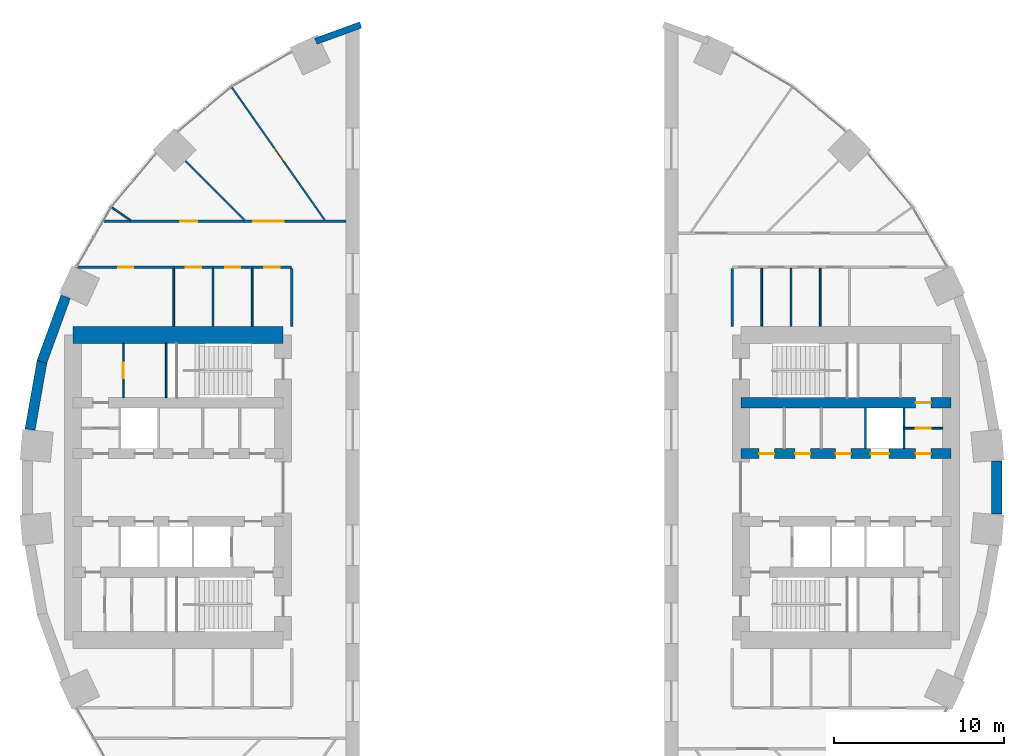
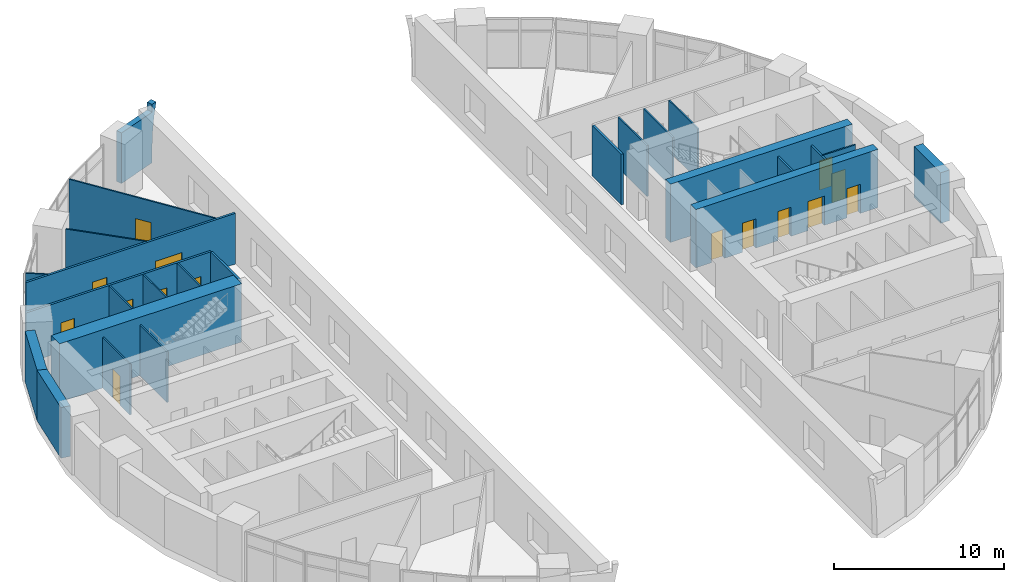
# One storey, part 11 of 13: 25 walls, 15 doors, 15 openings.
"""IFC4 building model written with IfcOpenShell, lengths in metres."""

from ifc_helpers import new_model, si_unit, direction, frame, frame_2d, origin, place, context, subcontext, project, spatial, polyline, rectangle, outline, extrude, material, layer, layer_set, type_object, element, fill, save


model = new_model("IFC4")

# Units and contexts
model_context = context("Model", 3, precision=1e-05, world=origin(), true_north=direction((0.0, 1.0)))
body_context = subcontext(model_context, "Body", "Model", "MODEL_VIEW")
ifc_project = project(units=[si_unit("LENGTHUNIT", "METRE"), si_unit("AREAUNIT", "SQUARE_METRE"), si_unit("VOLUMEUNIT", "CUBIC_METRE"), si_unit("PLANEANGLEUNIT", "RADIAN"), si_unit("MASSUNIT", "GRAM", prefix="KILO")], contexts=[model_context])

# Site, building, storey
site_placement = place(None, origin())
site = spatial("IfcSite", under=ifc_project, at=site_placement, CompositionType="ELEMENT")
building_placement = place(site_placement, origin())
building = spatial("IfcBuilding", under=site, at=building_placement, Name="Saqina Gate Tower", CompositionType="ELEMENT")
storey_placement = place(building_placement, frame((0.0, 0.0, 5.0)))
storey = spatial("IfcBuildingStorey", under=building, at=storey_placement, Name="L01", CompositionType="ELEMENT", Elevation=5.0)

# Wall, opening, door
ifc_material_1 = material(Name="Gypsum board on steel studs", Category="steel")
ifc_layer_1 = layer(ifc_material_1, 0.10009765625)
ifc_layer_set_1 = layer_set([ifc_layer_1], Name="CORE PARTITION")
wall_type_1 = type_object("IfcWallType", Name="CORE PARTITION", PredefinedType="PARTITIONING", material=ifc_layer_set_1)
wall_1_placement = place(storey_placement, frame((23.1201171875, 3.5, 0.0), z_axis=(0.0, 0.0, 1.0), x_axis=(1.0, 0.0, 0.0)))
wall_1 = element("IfcWall", 1, at=wall_1_placement, inside=storey, type_object=wall_type_1, Name="L01-CP-E09", PredefinedType="PARTITIONING", context=body_context, shape_type="SweptSolid", body=[
    extrude(rectangle(XDim=2.27978515625, YDim=0.10009765625, at=frame_2d((1.139892578125, 0.0))), origin(), (0.0, 0.0, 1.0), 3.64990234375),
])
opening_1_placement = place(wall_1_placement, frame((0.68994140625, 0.0, 0.0)))
opening_1 = element("IfcOpeningElement", 2, at=opening_1_placement, cuts=wall_1, Name="Opening L01-D96", PredefinedType="OPENING", context=body_context, shape_type="SweptSolid", body=[
    extrude(rectangle(XDim=0.89990234375, YDim=2.10009765625, at=frame_2d((0.449951171875, 1.050048828125))), frame((0.0, 0.06201171875, 0.0), z_axis=(0.0, -1.0, 0.0), x_axis=(1.0, 0.0, 0.0)), (0.0, 0.0, 1.0), 0.1240234375),
])
ifc_material_2 = material(Name="Steel-framed fire door leaf, EI 60", Category="steel")
door_type_1 = type_object("IfcDoorType", Name="SERVICE ROOM DOOR 900", OperationType="SINGLE_SWING_LEFT", PredefinedType="DOOR", material=ifc_material_2)
door_1_placement = place(opening_1_placement, origin())
door_1 = element("IfcDoor", 3, at=door_1_placement, inside=storey, type_object=door_type_1, Name="L01-CD-E07", OperationType="SINGLE_SWING_RIGHT", OverallHeight=2.10009765625, OverallWidth=0.89990234375, PredefinedType="DOOR", context=body_context, shape_type="SweptSolid", body=[
    extrude(rectangle(XDim=0.89990234375, YDim=2.10009765625, at=frame_2d((0.449951171875, 1.050048828125))), frame((0.0, 0.02490234375, 0.0), z_axis=(0.0, -1.0, 0.0), x_axis=(1.0, 0.0, 0.0)), (0.0, 0.0, 1.0), 0.050048828125),
])
fill(opening_1, door_1)

wall_2_placement = place(storey_placement, frame((-22.919921875, 5.300048828125, 0.0), z_axis=(0.0, 0.0, 1.0), x_axis=(0.0, 1.0, 0.0)))
wall_2 = element("IfcWall", 4, at=wall_2_placement, inside=storey, type_object=wall_type_1, Name="L01-CP-W11", PredefinedType="PARTITIONING", context=body_context, shape_type="SweptSolid", body=[
    extrude(rectangle(XDim=3.199951171875, YDim=0.10009765625, at=frame_2d((1.60009765625, 0.0))), origin(), (0.0, 0.0, 1.0), 3.64990234375),
])
opening_2_placement = place(wall_2_placement, frame((1.14990234375, 0.0, 0.0)))
opening_2 = element("IfcOpeningElement", 5, at=opening_2_placement, cuts=wall_2, Name="Opening L01-D113", PredefinedType="OPENING", context=body_context, shape_type="SweptSolid", body=[
    extrude(rectangle(XDim=0.89990234375, YDim=2.10009765625, at=frame_2d((0.449951171875, 1.050048828125))), frame((0.0, 0.06201171875, 0.0), z_axis=(0.0, -1.0, 0.0), x_axis=(1.0, 0.0, 0.0)), (0.0, 0.0, 1.0), 0.1240234375),
])
door_2_placement = place(opening_2_placement, frame((0.89990234375, 0.0, 0.0), z_axis=(0.0, 0.0, 1.0), x_axis=(-1.0, 0.0, 0.0)))
door_2 = element("IfcDoor", 6, at=door_2_placement, inside=storey, type_object=door_type_1, Name="L01-CD-W24", OperationType="SINGLE_SWING_RIGHT", OverallHeight=2.10009765625, OverallWidth=0.89990234375, PredefinedType="DOOR", context=body_context, shape_type="SweptSolid", body=[
    extrude(rectangle(XDim=0.89990234375, YDim=2.10009765625, at=frame_2d((0.449951171875, 1.050048828125))), frame((0.0, 0.02490234375, 0.0), z_axis=(0.0, -1.0, 0.0), x_axis=(1.0, 0.0, 0.0)), (0.0, 0.0, 1.0), 0.050048828125),
])
fill(opening_2, door_2)

# Walls
ifc_material_3 = material(Name="Glazed ceramic tile", Category="ceramic")
ifc_layer_2 = layer(ifc_material_3, 0.3798828125)
ifc_layer_set_2 = layer_set([ifc_layer_2], Name="FW-ARCH")
wall_type_2 = type_object("IfcWallType", Name="FW-ARCH", PredefinedType="SOLIDWALL", material=ifc_layer_set_2)
wall_3_placement = place(storey_placement, frame((-11.63720703125, 26.49755859375, 0.0), z_axis=(-0.341981019293, 0.939704755181, 0.001988852104), x_axis=(0.939706613726, 0.341981695593, 3.2622e-08)))
element("IfcWall", 7, at=wall_3_placement, inside=storey, type_object=wall_type_2, Name="Arch frame wall L01 facet 11", PredefinedType="SOLIDWALL", context=body_context, shape_type="SweptSolid", body=[
    extrude(outline(polyline([(0.0, 0.0), (2.8100358124776417, 0.0), (2.810139665404947, -1.0000017143707367), (2.851939254311865, -2.0981484908125445), (2.976838450721379, -3.1906802491788175), (3.1707162720531046, -4.199959504944626), (2.8101172642099947, -4.199959459046005), (2.8099923716461217, -3.649909561554975), (-4.344083151981224e-05, -3.649909561554975), (0.0, 0.0)])), origin(), (0.0, 0.0, -1.0), 0.3798828125),
])
ifc_material_4 = material(Name="Glazed ceramic tile", Category="ceramic")
ifc_layer_3 = layer(ifc_material_4, 0.60009765625)
ifc_layer_set_3 = layer_set([ifc_layer_3], Name="FW-TILE")
wall_type_3 = type_object("IfcWallType", Name="FW-TILE", PredefinedType="SOLIDWALL", material=ifc_layer_set_3)
wall_4_placement = place(storey_placement, frame((-26.327880859375, 11.255126953125, 0.0), z_axis=(0.0, 0.0, 1.0), x_axis=(-0.342034744565, -0.939687306241, 0.0)))
element("IfcWall", 8, at=wall_4_placement, inside=storey, type_object=wall_type_3, Name="Facade wall L01 facet 16", PredefinedType="SOLIDWALL", context=body_context, shape_type="SweptSolid", body=[
    extrude(rectangle(XDim=4.099365234375, YDim=0.60009765625, at=frame_2d((2.0498046875, 0.0))), origin(), (0.0, 0.0, 1.0), 3.64990234375),
])
wall_5_placement = place(storey_placement, frame((28.589599609375, -1.571533203125, 0.0), z_axis=(0.0, 0.0, 1.0), x_axis=(0.0, 1.0, 0.0)))
element("IfcWall", 9, at=wall_5_placement, inside=storey, type_object=wall_type_3, Name="Facade wall L01 facet 36", PredefinedType="SOLIDWALL", context=body_context, shape_type="SweptSolid", body=[
    extrude(rectangle(XDim=3.14306640625, YDim=0.60009765625, at=frame_2d((1.571533203125, 0.0))), origin(), (0.0, 0.0, 1.0), 3.64990234375),
])
ifc_material_5 = material(Name="Glazed ceramic tile (dark blue)", Category="ceramic")
ifc_layer_4 = layer(ifc_material_5, 0.60009765625)
ifc_layer_set_4 = layer_set([ifc_layer_4], Name="FW-TILE-CB")
wall_type_4 = type_object("IfcWallType", Name="FW-TILE-CB", PredefinedType="SOLIDWALL", material=ifc_layer_set_4)
wall_6_placement = place(storey_placement, frame((-27.71630859375, 7.45361328125, 0.0), z_axis=(0.0, 0.0, 1.0), x_axis=(-0.173673210505, -0.984803338719, 0.0)))
element("IfcWall", 10, at=wall_6_placement, inside=storey, type_object=wall_type_4, Name="Facade wall L01 facet 17", PredefinedType="SOLIDWALL", context=body_context, shape_type="SweptSolid", body=[
    extrude(rectangle(XDim=4.09912109375, YDim=0.60009765625, at=frame_2d((2.049560546875, 0.0))), origin(), (0.0, 0.0, 1.0), 3.64990234375),
])
ifc_material_6 = material(Name="Autoclaved aerated concrete block", Category="concrete")
ifc_layer_5 = layer(ifc_material_6, 0.1201171875)
ifc_layer_set_5 = layer_set([ifc_layer_5], Name="SHAFT PARTITION")
wall_type_5 = type_object("IfcWallType", Name="SHAFT PARTITION", PredefinedType="PARTITIONING", material=ifc_layer_set_5)
for number, where, z_axis, x_axis, name in (
    (11, (20.840087890625, 2.300048828125, 0.0), (0.0, 0.0, 1.0), (0.0, 1.0, 0.0), "L01-CP-E03"),
    (12, (23.1201171875, 2.300048828125, 0.0), (0.0, 0.0, 1.0), (0.0, 1.0, 0.0), "L01-CP-E04"),
):
    element("IfcWall", number, at=place(storey_placement, frame(where, z_axis=z_axis, x_axis=x_axis)), inside=storey, type_object=wall_type_5, Name=name, PredefinedType="PARTITIONING", context=body_context, shape_type="SweptSolid", body=[
        extrude(rectangle(XDim=2.39990234375, YDim=0.1201171875, at=frame_2d((1.199951171875, 0.0))), origin(), (0.0, 0.0, 1.0), 3.64990234375),
    ])

# Wall, opening, door
ifc_material_7 = material(Name="Gypsum board on steel studs, 100 mm", Category="steel")
ifc_layer_6 = layer(ifc_material_7, 0.10009765625)
ifc_layer_set_6 = layer_set([ifc_layer_6], Name="SPECIAL PARTITION 100")
wall_type_6 = type_object("IfcWallType", Name="SPECIAL PARTITION 100", PredefinedType="PARTITIONING", material=ifc_layer_set_6)
wall_7_placement = place(storey_placement, frame((-16.51904296875, 23.591064453125, 0.0), z_axis=(0.0, 0.0, 1.0), x_axis=(0.573616613219, -0.819123910675, 0.0)))
wall_7 = element("IfcWall", 13, at=wall_7_placement, inside=storey, type_object=wall_type_6, Name="PARTITION 001", PredefinedType="PARTITIONING", context=body_context, shape_type="SweptSolid", body=[
    extrude(rectangle(XDim=9.55859375, YDim=0.10009765625, at=frame_2d((4.779296875, 0.0))), origin(), (0.0, 0.0, 1.0), 3.64990234375),
])
opening_3_placement = place(wall_7_placement, frame((4.31689453125, 0.0, 0.0)))
opening_3 = element("IfcOpeningElement", 14, at=opening_3_placement, cuts=wall_7, Name="Opening L01-D09", PredefinedType="OPENING", context=body_context, shape_type="SweptSolid", body=[
    extrude(rectangle(XDim=1.0, YDim=2.10009765625, at=frame_2d((0.5, 1.050048828125))), frame((0.0, 0.06201171875, 0.0), z_axis=(0.0, -1.0, 0.0), x_axis=(1.0, 0.0, 0.0)), (0.0, 0.0, 1.0), 0.1240234375),
])
ifc_material_8 = material(Name="Timber door leaf", Category="wood")
door_type_2 = type_object("IfcDoorType", Name="SPECIAL DOOR 1000 TIMBER", OperationType="SINGLE_SWING_LEFT", PredefinedType="DOOR", material=ifc_material_8)
door_3_placement = place(opening_3_placement, origin())
door_3 = element("IfcDoor", 15, at=door_3_placement, inside=storey, type_object=door_type_2, Name="DOOR L01-D09", OperationType="SINGLE_SWING_RIGHT", OverallHeight=2.10009765625, OverallWidth=1.0, PredefinedType="DOOR", context=body_context, shape_type="SweptSolid", body=[
    extrude(rectangle(XDim=1.0, YDim=2.10009765625, at=frame_2d((0.5, 1.050048828125))), frame((0.0, 0.02490234375, 0.0), z_axis=(0.0, -1.0, 0.0), x_axis=(1.0, 0.0, 0.0)), (0.0, 0.0, 1.0), 0.050048828125),
])
fill(opening_3, door_3)

# Walls
wall_8_placement = place(storey_placement, frame((-19.26171875, 19.26171875, 0.0), z_axis=(0.0, 0.0, 1.0), x_axis=(0.707180580359, -0.707032974311, 0.0)))
element("IfcWall", 16, at=wall_8_placement, inside=storey, type_object=wall_type_6, Name="PARTITION 003", PredefinedType="PARTITIONING", context=body_context, shape_type="SweptSolid", body=[
    extrude(rectangle(XDim=4.9619140625, YDim=0.10009765625, at=frame_2d((2.48095703125, 0.0))), origin(), (0.0, 0.0, 1.0), 3.64990234375),
])
wall_9_placement = place(storey_placement, frame((-23.591064453125, 16.51904296875, 0.0), z_axis=(0.0, 0.0, 1.0), x_axis=(0.818984054331, -0.57381627613, 0.0)))
element("IfcWall", 17, at=wall_9_placement, inside=storey, type_object=wall_type_6, Name="PARTITION 005", PredefinedType="PARTITIONING", context=body_context, shape_type="SweptSolid", body=[
    extrude(rectangle(XDim=1.34228515625, YDim=0.10009765625, at=frame_2d((0.671142578125, 0.0))), origin(), (0.0, 0.0, 1.0), 3.64990234375),
])
for number, where, z_axis, x_axis, name in (
    (18, (18.181884765625, 9.5, 0.0), (0.0, 0.0, 1.0), (0.0, 1.0, 0.0), "PARTITION 021"),
    (19, (16.455078125, 9.5, 0.0), (0.0, 0.0, 1.0), (0.0, 1.0, 0.0), "PARTITION 023"),
    (20, (14.72705078125, 9.5, 0.0), (0.0, 0.0, 1.0), (0.0, 1.0, 0.0), "PARTITION 025"),
    (21, (-15.31689453125, 9.5, 0.0), (0.0, 0.0, 1.0), (0.0, 1.0, 0.0), "PARTITION 030"),
    (22, (-17.633056640625, 9.5, 0.0), (0.0, 0.0, 1.0), (0.0, 1.0, 0.0), "PARTITION 033"),
    (23, (-19.949951171875, 9.5, 0.0), (0.0, 0.0, 1.0), (0.0, 1.0, 0.0), "PARTITION 035"),
):
    element("IfcWall", number, at=place(storey_placement, frame(where, z_axis=z_axis, x_axis=x_axis)), inside=storey, type_object=wall_type_6, Name=name, PredefinedType="PARTITIONING", context=body_context, shape_type="SweptSolid", body=[
        extrude(rectangle(XDim=3.425048828125, YDim=0.10009765625, at=frame_2d((1.71240234375, 0.0))), origin(), (0.0, 0.0, 1.0), 3.64990234375),
    ])

# Wall, openings, doors
ifc_material_9 = material(Name="Gypsum board on steel studs, 150 mm, fire rated", Category="steel")
ifc_layer_7 = layer(ifc_material_9, 0.14990234375)
ifc_layer_set_7 = layer_set([ifc_layer_7], Name="SPECIAL PARTITION EI 30 150")
wall_type_7 = type_object("IfcWallType", Name="SPECIAL PARTITION EI 30 150", PredefinedType="PARTITIONING", material=ifc_layer_set_7)
wall_10_placement = place(storey_placement, frame((-25.6220703125, 13.0, 0.0), z_axis=(0.0, 0.0, 1.0), x_axis=(1.0, 0.0, 0.0)))
wall_10 = element("IfcWall", 24, at=wall_10_placement, inside=storey, type_object=wall_type_7, Name="PARTITION 010", PredefinedType="PARTITIONING", context=body_context, shape_type="SweptSolid", body=[
    extrude(rectangle(XDim=12.6220703125, YDim=0.14990234375, at=frame_2d((6.31103515625, 0.0))), origin(), (0.0, 0.0, 1.0), 3.64990234375),
])
opening_4_placement = place(wall_10_placement, frame((11.013427734375, 0.0, 0.0)))
opening_4 = element("IfcOpeningElement", 25, at=opening_4_placement, cuts=wall_10, Name="Opening L01-D11", PredefinedType="OPENING", context=body_context, shape_type="SweptSolid", body=[
    extrude(rectangle(XDim=0.89990234375, YDim=2.10009765625, at=frame_2d((0.449951171875, 1.050048828125))), frame((0.0, 0.0869140625, 0.0), z_axis=(0.0, -1.0, 0.0), x_axis=(1.0, 0.0, 0.0)), (0.0, 0.0, 1.0), 0.173828125),
])
opening_5_placement = place(wall_10_placement, frame((8.697021484375, 0.0, 0.0)))
opening_5 = element("IfcOpeningElement", 26, at=opening_5_placement, cuts=wall_10, Name="Opening L01-D13", PredefinedType="OPENING", context=body_context, shape_type="SweptSolid", body=[
    extrude(rectangle(XDim=0.89990234375, YDim=2.10009765625, at=frame_2d((0.449951171875, 1.050048828125))), frame((0.0, 0.0869140625, 0.0), z_axis=(0.0, -1.0, 0.0), x_axis=(1.0, 0.0, 0.0)), (0.0, 0.0, 1.0), 0.173828125),
])
opening_6_placement = place(wall_10_placement, frame((6.380615234375, 0.0, 0.0)))
opening_6 = element("IfcOpeningElement", 27, at=opening_6_placement, cuts=wall_10, Name="Opening L01-D14", PredefinedType="OPENING", context=body_context, shape_type="SweptSolid", body=[
    extrude(rectangle(XDim=0.89990234375, YDim=2.10009765625, at=frame_2d((0.449951171875, 1.050048828125))), frame((0.0, 0.0869140625, 0.0), z_axis=(0.0, -1.0, 0.0), x_axis=(1.0, 0.0, 0.0)), (0.0, 0.0, 1.0), 0.173828125),
])
opening_7_placement = place(wall_10_placement, frame((2.385986328125, 0.0, 0.0)))
opening_7 = element("IfcOpeningElement", 28, at=opening_7_placement, cuts=wall_10, Name="Opening L01-D15", PredefinedType="OPENING", context=body_context, shape_type="SweptSolid", body=[
    extrude(rectangle(XDim=0.89990234375, YDim=2.10009765625, at=frame_2d((0.449951171875, 1.050048828125))), frame((0.0, 0.0869140625, 0.0), z_axis=(0.0, -1.0, 0.0), x_axis=(1.0, 0.0, 0.0)), (0.0, 0.0, 1.0), 0.173828125),
])
ifc_material_10 = material(Name="Steel-framed fire door leaf, EI 30", Category="steel")
door_type_3 = type_object("IfcDoorType", Name="SPECIAL DOOR 900 FIRE EI 30", OperationType="SINGLE_SWING_LEFT", PredefinedType="DOOR", material=ifc_material_10)
door_4_placement = place(opening_4_placement, frame((0.89990234375, 0.0, 0.0), z_axis=(0.0, 0.0, 1.0), x_axis=(-1.0, 0.0, 0.0)))
door_4 = element("IfcDoor", 29, at=door_4_placement, inside=storey, type_object=door_type_3, Name="DOOR L01-D11", OperationType="SINGLE_SWING_LEFT", OverallHeight=2.10009765625, OverallWidth=0.89990234375, PredefinedType="DOOR", context=body_context, shape_type="SweptSolid", body=[
    extrude(rectangle(XDim=0.89990234375, YDim=2.10009765625, at=frame_2d((0.449951171875, 1.050048828125))), frame((0.0, 0.02490234375, 0.0), z_axis=(0.0, -1.0, 0.0), x_axis=(1.0, 0.0, 0.0)), (0.0, 0.0, 1.0), 0.050048828125),
])
fill(opening_4, door_4)
door_5_placement = place(opening_5_placement, frame((0.89990234375, 0.0, 0.0), z_axis=(0.0, 0.0, 1.0), x_axis=(-1.0, 0.0, 0.0)))
door_5 = element("IfcDoor", 30, at=door_5_placement, inside=storey, type_object=door_type_3, Name="DOOR L01-D13", OperationType="SINGLE_SWING_LEFT", OverallHeight=2.10009765625, OverallWidth=0.89990234375, PredefinedType="DOOR", context=body_context, shape_type="SweptSolid", body=[
    extrude(rectangle(XDim=0.89990234375, YDim=2.10009765625, at=frame_2d((0.449951171875, 1.050048828125))), frame((0.0, 0.02490234375, 0.0), z_axis=(0.0, -1.0, 0.0), x_axis=(1.0, 0.0, 0.0)), (0.0, 0.0, 1.0), 0.050048828125),
])
fill(opening_5, door_5)
door_6_placement = place(opening_6_placement, frame((0.89990234375, 0.0, 0.0), z_axis=(0.0, 0.0, 1.0), x_axis=(-1.0, 0.0, 0.0)))
door_6 = element("IfcDoor", 31, at=door_6_placement, inside=storey, type_object=door_type_3, Name="DOOR L01-D14", OperationType="SINGLE_SWING_LEFT", OverallHeight=2.10009765625, OverallWidth=0.89990234375, PredefinedType="DOOR", context=body_context, shape_type="SweptSolid", body=[
    extrude(rectangle(XDim=0.89990234375, YDim=2.10009765625, at=frame_2d((0.449951171875, 1.050048828125))), frame((0.0, 0.02490234375, 0.0), z_axis=(0.0, -1.0, 0.0), x_axis=(1.0, 0.0, 0.0)), (0.0, 0.0, 1.0), 0.050048828125),
])
fill(opening_6, door_6)
door_7_placement = place(opening_7_placement, frame((0.89990234375, 0.0, 0.0), z_axis=(0.0, 0.0, 1.0), x_axis=(-1.0, 0.0, 0.0)))
door_7 = element("IfcDoor", 32, at=door_7_placement, inside=storey, type_object=door_type_3, Name="DOOR L01-D15", OperationType="SINGLE_SWING_RIGHT", OverallHeight=2.10009765625, OverallWidth=0.89990234375, PredefinedType="DOOR", context=body_context, shape_type="SweptSolid", body=[
    extrude(rectangle(XDim=0.89990234375, YDim=2.10009765625, at=frame_2d((0.449951171875, 1.050048828125))), frame((0.0, 0.02490234375, 0.0), z_axis=(0.0, -1.0, 0.0), x_axis=(1.0, 0.0, 0.0)), (0.0, 0.0, 1.0), 0.050048828125),
])
fill(opening_7, door_7)

wall_11_placement = place(storey_placement, frame((-24.06396484375, 15.699951171875, 0.0), z_axis=(0.0, 0.0, 1.0), x_axis=(1.0, 0.0, 0.0)))
wall_11 = element("IfcWall", 33, at=wall_11_placement, inside=storey, type_object=wall_type_7, Name="PARTITION 013", PredefinedType="PARTITIONING", context=body_context, shape_type="SweptSolid", body=[
    extrude(rectangle(XDim=14.263916015625, YDim=0.14990234375, at=frame_2d((7.1318359375, 0.0))), origin(), (0.0, 0.0, 1.0), 3.64990234375),
])
opening_8_placement = place(wall_11_placement, frame((8.81591796875, 0.0, 0.0)))
opening_8 = element("IfcOpeningElement", 34, at=opening_8_placement, cuts=wall_11, Name="Opening L01-D10", PredefinedType="OPENING", context=body_context, shape_type="SweptSolid", body=[
    extrude(rectangle(XDim=1.800048828125, YDim=2.10009765625, at=frame_2d((0.89990234375, 1.050048828125))), frame((0.0, 0.0869140625, 0.0), z_axis=(0.0, -1.0, 0.0), x_axis=(1.0, 0.0, 0.0)), (0.0, 0.0, 1.0), 0.173828125),
])
opening_9_placement = place(wall_11_placement, frame((4.5029296875, 0.0, 0.0)))
opening_9 = element("IfcOpeningElement", 35, at=opening_9_placement, cuts=wall_11, Name="Opening L01-D12", PredefinedType="OPENING", context=body_context, shape_type="SweptSolid", body=[
    extrude(rectangle(XDim=1.0, YDim=2.10009765625, at=frame_2d((0.5, 1.050048828125))), frame((0.0, 0.0869140625, 0.0), z_axis=(0.0, -1.0, 0.0), x_axis=(1.0, 0.0, 0.0)), (0.0, 0.0, 1.0), 0.173828125),
])
ifc_material_11 = material(Name="Steel-framed fire door leaf, EI 30", Category="steel")
door_type_4 = type_object("IfcDoorType", Name="SPECIAL DOOR 1000 FIRE EI 30", OperationType="SINGLE_SWING_LEFT", PredefinedType="DOOR", material=ifc_material_11)
door_8_placement = place(opening_9_placement, origin())
door_8 = element("IfcDoor", 36, at=door_8_placement, inside=storey, type_object=door_type_4, Name="DOOR L01-D12", OperationType="SINGLE_SWING_LEFT", OverallHeight=2.10009765625, OverallWidth=1.0, PredefinedType="DOOR", context=body_context, shape_type="SweptSolid", body=[
    extrude(rectangle(XDim=1.0, YDim=2.10009765625, at=frame_2d((0.5, 1.050048828125))), frame((0.0, 0.02490234375, 0.0), z_axis=(0.0, -1.0, 0.0), x_axis=(1.0, 0.0, 0.0)), (0.0, 0.0, 1.0), 0.050048828125),
])
fill(opening_9, door_8)
ifc_material_12 = material(Name="Steel-framed fire door leaf, EI 30", Category="steel")
door_type_5 = type_object("IfcDoorType", Name="SPECIAL DOUBLE DOOR 1800 FIRE EI 30", OperationType="DOUBLE_DOOR_SINGLE_SWING", PredefinedType="DOOR", material=ifc_material_12)
door_9_placement = place(opening_8_placement, origin())
door_9 = element("IfcDoor", 37, at=door_9_placement, inside=storey, type_object=door_type_5, Name="DOOR L01-D10", OperationType="DOUBLE_DOOR_SINGLE_SWING", OverallHeight=2.10009765625, OverallWidth=1.800048828125, PredefinedType="DOOR", context=body_context, shape_type="SweptSolid", body=[
    extrude(rectangle(XDim=1.800048828125, YDim=2.10009765625, at=frame_2d((0.89990234375, 1.050048828125))), frame((0.0, 0.02490234375, 0.0), z_axis=(0.0, -1.0, 0.0), x_axis=(1.0, 0.0, 0.0)), (0.0, 0.0, 1.0), 0.050048828125),
])
fill(opening_8, door_9)

# Walls
for number, where, z_axis, x_axis, name in (
    (38, (13.0, 9.5, 0.0), (0.0, 0.0, 1.0), (0.0, 1.0, 0.0), "PARTITION 027"),
    (39, (-13.0, 9.5, 0.0), (0.0, 0.0, 1.0), (0.0, 1.0, 0.0), "PARTITION 029"),
):
    element("IfcWall", number, at=place(storey_placement, frame(where, z_axis=z_axis, x_axis=x_axis)), inside=storey, type_object=wall_type_7, Name=name, PredefinedType="PARTITIONING", context=body_context, shape_type="SweptSolid", body=[
        extrude(rectangle(XDim=3.425048828125, YDim=0.14990234375, at=frame_2d((1.71240234375, 0.0))), origin(), (0.0, 0.0, 1.0), 3.64990234375),
    ])
ifc_material_13 = material(Name="Autoclaved aerated concrete block", Category="concrete")
ifc_layer_8 = layer(ifc_material_13, 0.10009765625)
ifc_layer_set_8 = layer_set([ifc_layer_8], Name="STAIR ENCLOSURE WALL")
wall_type_8 = type_object("IfcWallType", Name="STAIR ENCLOSURE WALL", PredefinedType="PARTITIONING", material=ifc_layer_set_8)
wall_12_placement = place(storey_placement, frame((-20.389892578125, 5.300048828125, 0.0), z_axis=(0.0, 0.0, 1.0), x_axis=(0.0, 1.0, 0.0)))
element("IfcWall", 40, at=wall_12_placement, inside=storey, type_object=wall_type_8, Name="L01-CP-W10", PredefinedType="PARTITIONING", context=body_context, shape_type="SweptSolid", body=[
    extrude(rectangle(XDim=3.199951171875, YDim=0.10009765625, at=frame_2d((1.60009765625, 0.0))), origin(), (0.0, 0.0, 1.0), 3.64990234375),
])

# Wall, opening, door
ifc_material_14 = material(Name="Concrete C70/85", Category="concrete")
ifc_layer_9 = layer(ifc_material_14, 0.60009765625)
ifc_layer_set_9 = layer_set([ifc_layer_9], Name="Concrete C70/85")
wall_type_9 = type_object("IfcWallType", Name="STR-CORE WALL-P-I", PredefinedType="SHEAR", material=ifc_layer_set_9)
wall_13_placement = place(storey_placement, frame((13.5, 5.0, 0.0), z_axis=(0.0, 0.0, 1.0), x_axis=(1.0, 0.0, 0.0)))
wall_13 = element("IfcWall", 41, at=wall_13_placement, inside=storey, type_object=wall_type_9, Name="CORE WALL L01 E-X1", PredefinedType="SHEAR", context=body_context, shape_type="SweptSolid", body=[
    extrude(rectangle(XDim=12.39990234375, YDim=0.60009765625, at=frame_2d((6.199951171875, 0.0))), origin(), (0.0, 0.0, 1.0), 4.199951171875),
])
opening_10_placement = place(wall_13_placement, frame((10.31005859375, 0.0, 0.0)))
opening_10 = element("IfcOpeningElement", 42, at=opening_10_placement, cuts=wall_13, Name="Opening L01-D98", PredefinedType="OPENING", context=body_context, shape_type="SweptSolid", body=[
    extrude(rectangle(XDim=0.89990234375, YDim=2.10009765625, at=frame_2d((0.449951171875, 1.050048828125))), frame((0.0, 0.31201171875, 0.0), z_axis=(0.0, -1.0, 0.0), x_axis=(1.0, 0.0, 0.0)), (0.0, 0.0, 1.0), 0.6240234375),
])
door_10_placement = place(opening_10_placement, origin())
door_10 = element("IfcDoor", 43, at=door_10_placement, inside=storey, type_object=door_type_1, Name="L01-CD-E09", OperationType="SINGLE_SWING_RIGHT", OverallHeight=2.10009765625, OverallWidth=0.89990234375, PredefinedType="DOOR", context=body_context, shape_type="SweptSolid", body=[
    extrude(rectangle(XDim=0.89990234375, YDim=2.10009765625, at=frame_2d((0.449951171875, 1.050048828125))), frame((0.0, 0.02490234375, 0.0), z_axis=(0.0, -1.0, 0.0), x_axis=(1.0, 0.0, 0.0)), (0.0, 0.0, 1.0), 0.050048828125),
])
fill(opening_10, door_10)

# Wall, openings, doors
wall_14_placement = place(storey_placement, frame((13.5, 2.0, 0.0), z_axis=(0.0, 0.0, 1.0), x_axis=(1.0, 0.0, 0.0)))
wall_14 = element("IfcWall", 44, at=wall_14_placement, inside=storey, type_object=wall_type_9, Name="CORE WALL L01 E-L1", PredefinedType="SHEAR", context=body_context, shape_type="SweptSolid", body=[
    extrude(rectangle(XDim=12.39990234375, YDim=0.60009765625, at=frame_2d((6.199951171875, 0.0))), origin(), (0.0, 0.0, 1.0), 4.199951171875),
])
opening_11_placement = place(wall_14_placement, frame((7.64990234375, 0.0, 0.0)))
opening_11 = element("IfcOpeningElement", 45, at=opening_11_placement, cuts=wall_14, Name="Opening L01-LD1", PredefinedType="OPENING", context=body_context, shape_type="SweptSolid", body=[
    extrude(rectangle(XDim=1.10009765625, YDim=2.10009765625, at=frame_2d((0.550048828125, 1.050048828125))), frame((0.0, 0.31201171875, 0.0), z_axis=(0.0, -1.0, 0.0), x_axis=(1.0, 0.0, 0.0)), (0.0, 0.0, 1.0), 0.6240234375),
])
opening_12_placement = place(wall_14_placement, frame((1.075927734375, 0.0, 0.0)))
opening_12 = element("IfcOpeningElement", 46, at=opening_12_placement, cuts=wall_14, Name="Opening L01-D90", PredefinedType="OPENING", context=body_context, shape_type="SweptSolid", body=[
    extrude(rectangle(XDim=0.89990234375, YDim=2.10009765625, at=frame_2d((0.449951171875, 1.050048828125))), frame((0.0, 0.31201171875, 0.0), z_axis=(0.0, -1.0, 0.0), x_axis=(1.0, 0.0, 0.0)), (0.0, 0.0, 1.0), 0.6240234375),
])
opening_13_placement = place(wall_14_placement, frame((3.1962890625, 0.0, 0.0)))
opening_13 = element("IfcOpeningElement", 47, at=opening_13_placement, cuts=wall_14, Name="Opening L01-D91", PredefinedType="OPENING", context=body_context, shape_type="SweptSolid", body=[
    extrude(rectangle(XDim=0.89990234375, YDim=2.10009765625, at=frame_2d((0.449951171875, 1.050048828125))), frame((0.0, 0.31201171875, 0.0), z_axis=(0.0, -1.0, 0.0), x_axis=(1.0, 0.0, 0.0)), (0.0, 0.0, 1.0), 0.6240234375),
])
opening_14_placement = place(wall_14_placement, frame((5.59033203125, 0.0, 0.0)))
opening_14 = element("IfcOpeningElement", 48, at=opening_14_placement, cuts=wall_14, Name="Opening L01-D92", PredefinedType="OPENING", context=body_context, shape_type="SweptSolid", body=[
    extrude(rectangle(XDim=0.89990234375, YDim=2.10009765625, at=frame_2d((0.449951171875, 1.050048828125))), frame((0.0, 0.31201171875, 0.0), z_axis=(0.0, -1.0, 0.0), x_axis=(1.0, 0.0, 0.0)), (0.0, 0.0, 1.0), 0.6240234375),
])
opening_15_placement = place(wall_14_placement, frame((10.31005859375, 0.0, 0.0)))
opening_15 = element("IfcOpeningElement", 49, at=opening_15_placement, cuts=wall_14, Name="Opening L01-D93", PredefinedType="OPENING", context=body_context, shape_type="SweptSolid", body=[
    extrude(rectangle(XDim=0.89990234375, YDim=2.10009765625, at=frame_2d((0.449951171875, 1.050048828125))), frame((0.0, 0.31201171875, 0.0), z_axis=(0.0, -1.0, 0.0), x_axis=(1.0, 0.0, 0.0)), (0.0, 0.0, 1.0), 0.6240234375),
])
ifc_material_15 = material(Name="Stainless steel", Category="steel")
door_type_6 = type_object("IfcDoorType", Name="LANDING DOOR", OperationType="DOUBLE_DOOR_SLIDING", PredefinedType="DOOR", material=ifc_material_15)
door_11_placement = place(opening_11_placement, origin())
door_11 = element("IfcDoor", 50, at=door_11_placement, inside=storey, type_object=door_type_6, Name="LANDING DOOR LR1", OperationType="DOUBLE_DOOR_SLIDING", OverallHeight=2.10009765625, OverallWidth=1.10009765625, PredefinedType="DOOR", context=body_context, shape_type="SweptSolid", body=[
    extrude(rectangle(XDim=1.10009765625, YDim=2.10009765625, at=frame_2d((0.550048828125, 1.050048828125))), frame((0.0, 0.02490234375, 0.0), z_axis=(0.0, -1.0, 0.0), x_axis=(1.0, 0.0, 0.0)), (0.0, 0.0, 1.0), 0.050048828125),
])
fill(opening_11, door_11)
door_12_placement = place(opening_12_placement, origin())
door_12 = element("IfcDoor", 51, at=door_12_placement, inside=storey, type_object=door_type_1, Name="L01-CD-E01", OperationType="SINGLE_SWING_RIGHT", OverallHeight=2.10009765625, OverallWidth=0.89990234375, PredefinedType="DOOR", context=body_context, shape_type="SweptSolid", body=[
    extrude(rectangle(XDim=0.89990234375, YDim=2.10009765625, at=frame_2d((0.449951171875, 1.050048828125))), frame((0.0, 0.02490234375, 0.0), z_axis=(0.0, -1.0, 0.0), x_axis=(1.0, 0.0, 0.0)), (0.0, 0.0, 1.0), 0.050048828125),
])
fill(opening_12, door_12)
door_13_placement = place(opening_13_placement, origin())
door_13 = element("IfcDoor", 52, at=door_13_placement, inside=storey, type_object=door_type_1, Name="L01-CD-E02", OperationType="SINGLE_SWING_LEFT", OverallHeight=2.10009765625, OverallWidth=0.89990234375, PredefinedType="DOOR", context=body_context, shape_type="SweptSolid", body=[
    extrude(rectangle(XDim=0.89990234375, YDim=2.10009765625, at=frame_2d((0.449951171875, 1.050048828125))), frame((0.0, 0.02490234375, 0.0), z_axis=(0.0, -1.0, 0.0), x_axis=(1.0, 0.0, 0.0)), (0.0, 0.0, 1.0), 0.050048828125),
])
fill(opening_13, door_13)
door_14_placement = place(opening_14_placement, origin())
door_14 = element("IfcDoor", 53, at=door_14_placement, inside=storey, type_object=door_type_1, Name="L01-CD-E03", OperationType="SINGLE_SWING_LEFT", OverallHeight=2.10009765625, OverallWidth=0.89990234375, PredefinedType="DOOR", context=body_context, shape_type="SweptSolid", body=[
    extrude(rectangle(XDim=0.89990234375, YDim=2.10009765625, at=frame_2d((0.449951171875, 1.050048828125))), frame((0.0, 0.02490234375, 0.0), z_axis=(0.0, -1.0, 0.0), x_axis=(1.0, 0.0, 0.0)), (0.0, 0.0, 1.0), 0.050048828125),
])
fill(opening_14, door_14)
door_15_placement = place(opening_15_placement, origin())
door_15 = element("IfcDoor", 54, at=door_15_placement, inside=storey, type_object=door_type_1, Name="L01-CD-E04", OperationType="SINGLE_SWING_RIGHT", OverallHeight=2.10009765625, OverallWidth=0.89990234375, PredefinedType="DOOR", context=body_context, shape_type="SweptSolid", body=[
    extrude(rectangle(XDim=0.89990234375, YDim=2.10009765625, at=frame_2d((0.449951171875, 1.050048828125))), frame((0.0, 0.02490234375, 0.0), z_axis=(0.0, -1.0, 0.0), x_axis=(1.0, 0.0, 0.0)), (0.0, 0.0, 1.0), 0.050048828125),
])
fill(opening_15, door_15)

# Wall
ifc_material_16 = material(Name="Concrete C70/85", Category="concrete")
ifc_layer_10 = layer(ifc_material_16, 1.0)
ifc_layer_set_10 = layer_set([ifc_layer_10], Name="Concrete C70/85")
wall_type_10 = type_object("IfcWallType", Name="STR-CORE WALL-P-O", PredefinedType="SHEAR", material=ifc_layer_set_10)
wall_15_placement = place(storey_placement, frame((-13.5, 9.0, 0.0), z_axis=(0.0, 0.0, 1.0), x_axis=(-1.0, 0.0, 0.0)))
element("IfcWall", 55, at=wall_15_placement, inside=storey, type_object=wall_type_10, Name="CORE WALL L01 W-NE", PredefinedType="SHEAR", context=body_context, shape_type="SweptSolid", body=[
    extrude(rectangle(XDim=12.39990234375, YDim=1.0, at=frame_2d((6.199951171875, 0.0))), origin(), (0.0, 0.0, 1.0), 4.199951171875),
])

save(model, "model.ifc")
